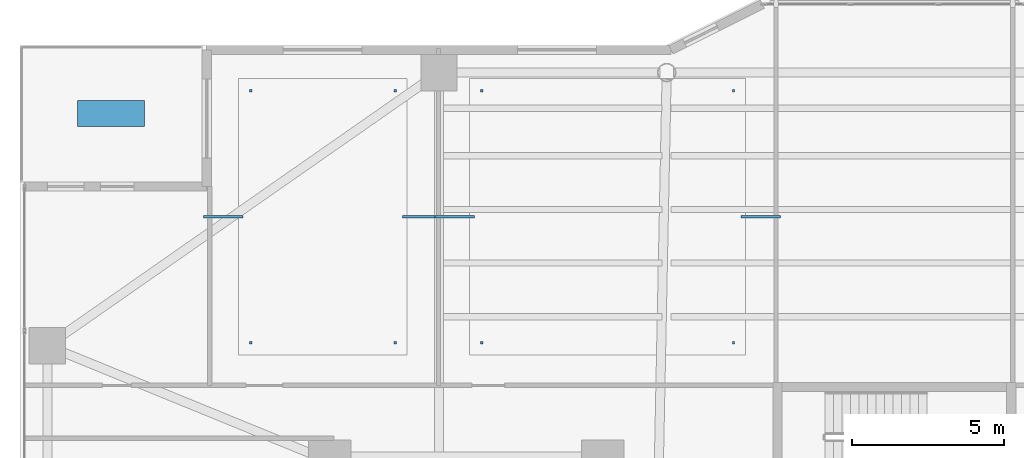
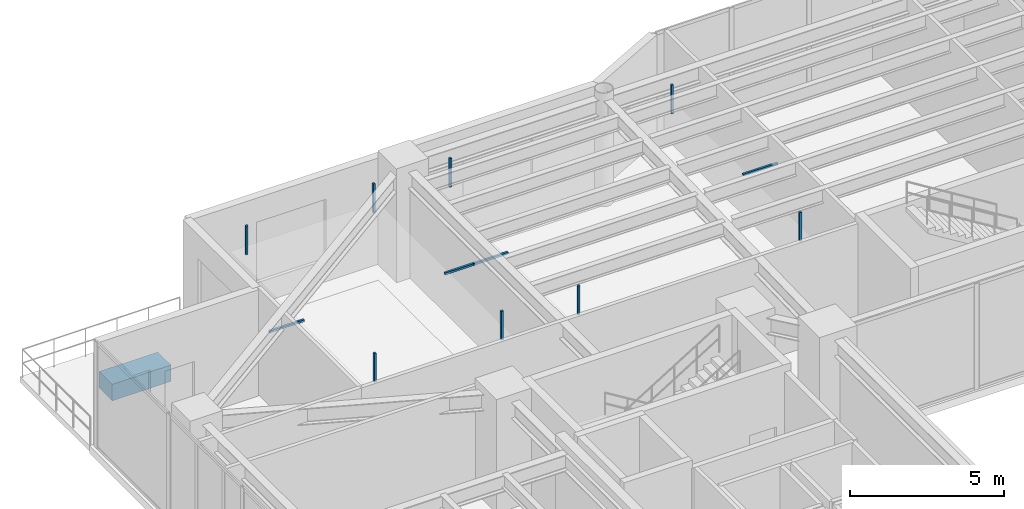
# One storey, part 34 of 39: 13 discrete accessories.
"""IFC4 building model written with IfcOpenShell, lengths in metres."""

import ifcopenshell
import ifcopenshell.guid

model = None  # the IFC model being written
_history = None  # IfcOwnerHistory: only IFC2X3 demands one
_inside = {}  # id of a spatial element -> (the spatial element, [elements in it])
_under = {}  # id of a project, library or spatial element -> (it, [spatial elements below it])
_declared = {}  # id of a project -> (the project, [libraries it declares])
_typed = {}  # id of a type object -> (the type object, [elements of that type])
_made_of = {}  # id of a material, layer set ... -> (it, [elements and type objects made of it])


def new_model(schema):
    """Start an empty IFC model of exactly this schema.

    Asked for "IFC4X3", IfcOpenShell would pick the latest addendum, in which some entities
    have other attributes; the version numbers below select the first issue.
    IFC2X3 requires an IfcOwnerHistory on every rooted entity: one is made here for all.
    """
    global model, _history
    if schema == "IFC4X3":
        model = ifcopenshell.file(schema_version=(4, 3, 0, 0))
    else:
        model = ifcopenshell.file(schema=schema)
    _inside.clear()
    _under.clear()
    _declared.clear()
    _typed.clear()
    _made_of.clear()
    _history = None
    if model.schema == "IFC2X3":
        org = make("IfcOrganization", Name="unknown")
        user = make(
            "IfcPersonAndOrganization",
            ThePerson=make("IfcPerson", FamilyName="unknown"),
            TheOrganization=org,
        )
        app = make(
            "IfcApplication",
            ApplicationDeveloper=org,
            Version="unknown",
            ApplicationFullName="unknown",
            ApplicationIdentifier="unknown",
        )
        _history = make(
            "IfcOwnerHistory",
            OwningUser=user,
            OwningApplication=app,
            ChangeAction="ADDED",
            CreationDate=0,
        )
    return model


def make(cls, **values):
    """One entity of the class cls with the attributes given. An attribute that is None is left unset."""
    return model.create_entity(
        cls, **{name: value for name, value in values.items() if value is not None}
    )


def rooted(cls, **values):
    """An entity with a GlobalId (a new one), such as an element, a storey or a relation."""
    return make(cls, GlobalId=ifcopenshell.guid.new(), OwnerHistory=_history, **values)


def si_unit(unit_type, name, prefix=None):
    """IfcSIUnit, for example si_unit("LENGTHUNIT", "METRE", prefix="MILLI")."""
    return make("IfcSIUnit", UnitType=unit_type, Prefix=prefix, Name=name)


def assignment(units):
    """IfcUnitAssignment: the units of a project."""
    return None if units is None else make("IfcUnitAssignment", Units=units)


def point(xyz):
    """IfcCartesianPoint."""
    return None if xyz is None else make("IfcCartesianPoint", Coordinates=xyz)


def direction(xyz):
    """IfcDirection."""
    return None if xyz is None else make("IfcDirection", DirectionRatios=xyz)


def frame(location, z_axis=None, x_axis=None):
    """IfcAxis2Placement3D, a coordinate frame: its origin and axes. An axis left out is left unset."""
    return make(
        "IfcAxis2Placement3D",
        Location=point(location),
        Axis=direction(z_axis),
        RefDirection=direction(x_axis),
    )


def frame_2d(location, x_axis=None):
    """IfcAxis2Placement2D, a coordinate frame in the plane: its origin and x axis."""
    return make(
        "IfcAxis2Placement2D", Location=point(location), RefDirection=direction(x_axis)
    )


def origin():
    """The frame at (0, 0, 0) with its axes left unset."""
    return frame((0.0, 0.0, 0.0))


def origin_2d():
    """The frame at (0, 0) in the plane with its x axis left unset."""
    return frame_2d((0.0, 0.0))


def place(relative_to, where):
    """IfcLocalPlacement: puts the frame where relative to a parent placement (None: the world)."""
    return make(
        "IfcLocalPlacement", PlacementRelTo=relative_to, RelativePlacement=where
    )


def context(
    kind, dimensions, precision=None, world=None, true_north=None, identifier=None
):
    """IfcGeometricRepresentationContext, for example the 3D "Model" context."""
    return make(
        "IfcGeometricRepresentationContext",
        ContextIdentifier=identifier,
        ContextType=kind,
        CoordinateSpaceDimension=dimensions,
        Precision=precision,
        WorldCoordinateSystem=world,
        TrueNorth=true_north,
    )


def subcontext(parent, identifier, kind, view, scale=None):
    """IfcGeometricRepresentationSubContext, for example "Body" below "Model"."""
    return make(
        "IfcGeometricRepresentationSubContext",
        ContextIdentifier=identifier,
        ContextType=kind,
        ParentContext=parent,
        TargetScale=scale,
        TargetView=view,
    )


def project(units=None, contexts=None):
    """IfcProject with its units and contexts."""
    return rooted(
        "IfcProject",
        Name="project",
        RepresentationContexts=contexts,
        UnitsInContext=assignment(units),
    )


def spatial(cls, under=None, at=None, **own):
    """A site, building, storey or space (cls), placed at a placement, below another one or the project."""
    s = rooted(cls, ObjectPlacement=at, **own)
    if under is not None:
        _under.setdefault(under.id(), (under, []))[1].append(s)
    return s


def profile(cls, at=None, kind="AREA", **sizes):
    """A parametric profile (cls). Its sizes go by their IFC names, for example OverallWidth=200.0."""
    return make(cls, ProfileType=kind, Position=at, **sizes)


def rectangle(**sizes):
    """IfcRectangleProfileDef."""
    return profile("IfcRectangleProfileDef", **sizes)


def extrude(swept, where, along, depth):
    """IfcExtrudedAreaSolid: the profile swept, set in the frame where, extruded along a direction by depth."""
    return make(
        "IfcExtrudedAreaSolid",
        SweptArea=swept,
        Position=where,
        ExtrudedDirection=direction(along),
        Depth=depth,
    )


def shape(context_of_items, identifier, shape_type, items):
    """IfcShapeRepresentation: the items that make up one representation, for example the "Body"."""
    return make(
        "IfcShapeRepresentation",
        ContextOfItems=context_of_items,
        RepresentationIdentifier=identifier,
        RepresentationType=shape_type,
        Items=items,
    )


def material(Name=None, Category=None):
    """IfcMaterial."""
    return make("IfcMaterial", Name=Name, Category=Category)


def made_of(thing, what):
    """Note that an element or type object is made of a material, layer set ...; save() writes the relation."""
    if what is not None:
        _made_of.setdefault(what.id(), (what, []))[1].append(thing)
    return thing


def type_object(cls, material=None, **own):
    """A type object (cls), such as IfcWallType, which elements share."""
    return made_of(rooted(cls, **own), material)


def element(
    cls,
    number,
    at=None,
    inside=None,
    cuts=None,
    type_object=None,
    material=None,
    context=None,
    identifier="Body",
    shape_type=None,
    held_by="IfcProductDefinitionShape",
    body=None,
    shapes=None,
    **own,
):
    """One element of the class cls, such as IfcWall. Its Tag is "e" and its number.

    at: its placement. inside: the storey or other place that contains it. cuts: it is an
    opening in that element (IfcRelVoidsElement). A single representation is given by context,
    identifier, shape_type and body (its items); several are given by shapes. held_by: the class
    of the entity that holds the representations. save() writes the other relations.
    """
    e = rooted(cls, Tag="e%d" % number, ObjectPlacement=at, **own)
    if body is not None:
        shapes = [shape(context, identifier, shape_type, body)]
    if shapes is not None:
        e.Representation = make(held_by, Representations=shapes)
    if inside is not None:
        _inside.setdefault(inside.id(), (inside, []))[1].append(e)
    if cuts is not None:
        rooted(
            "IfcRelVoidsElement", RelatingBuildingElement=cuts, RelatedOpeningElement=e
        )
    if type_object is not None:
        _typed.setdefault(type_object.id(), (type_object, []))[1].append(e)
    return made_of(e, material)


def aggregate(whole, parts):
    """IfcRelAggregates: a whole, such as a stair, and the parts it consists of."""
    return rooted("IfcRelAggregates", RelatingObject=whole, RelatedObjects=parts)


def save(model, path):
    """Write the relations noted so far, then the file.

    IfcRelAggregates (storeys below a building ...), IfcRelContainedInSpatialStructure (elements
    in a storey), IfcRelDefinesByType, IfcRelAssociatesMaterial and IfcRelDeclares: one each for
    every whole, place, type object, material and project.
    """
    for whole, parts in _under.values():
        aggregate(whole, parts)
    for where, things in _inside.values():
        rooted(
            "IfcRelContainedInSpatialStructure",
            RelatedElements=things,
            RelatingStructure=where,
        )
    for kind, things in _typed.values():
        rooted("IfcRelDefinesByType", RelatedObjects=things, RelatingType=kind)
    for what, things in _made_of.values():
        rooted("IfcRelAssociatesMaterial", RelatedObjects=things, RelatingMaterial=what)
    for by, libraries in _declared.values():
        rooted("IfcRelDeclares", RelatingContext=by, RelatedDefinitions=libraries)
    model.write(path)


model = new_model("IFC4")

# Units and contexts
model_context = context("Model", 3, precision=1e-05, world=origin(), true_north=direction((0.0, 1.0)))
body_context = subcontext(model_context, "Body", "Model", "MODEL_VIEW")
ifc_project = project(units=[si_unit("LENGTHUNIT", "METRE"), si_unit("AREAUNIT", "SQUARE_METRE"), si_unit("VOLUMEUNIT", "CUBIC_METRE"), si_unit("PLANEANGLEUNIT", "RADIAN"), si_unit("MASSUNIT", "GRAM", prefix="KILO")], contexts=[model_context])

# Site, building, storey
site_placement = place(None, origin())
site = spatial("IfcSite", under=ifc_project, at=site_placement, CompositionType="ELEMENT")
building_placement = place(site_placement, origin())
building = spatial("IfcBuilding", under=site, at=building_placement, Name="Tarnavaz Court Tower", CompositionType="ELEMENT")
storey_placement = place(building_placement, frame((0.0, 0.0, 68.699951171875)))
storey = spatial("IfcBuildingStorey", under=building, at=storey_placement, Name="L18", CompositionType="ELEMENT", Elevation=68.699951171875)

# Discrete accessories
ifc_material_1 = material(Name="Anodised Aluminium 6063-T6", Category="aluminium")
discrete_accessory_type_1 = type_object("IfcDiscreteAccessoryType", Name="DA-BRKT-ALU", PredefinedType="BRACKET", material=ifc_material_1)
for number, where, z_axis, x_axis, name in (
    (1, (-21.199951171875, 13.89990234375, 3.09033203125), (0.0, 0.0, 1.0), (1.0, 0.0, 0.0), "L18 Ceiling Suspension Hanger Bracket 01-1"),
    (2, (-16.447021484375, 13.89990234375, 3.09033203125), (0.0, 0.0, 1.0), (1.0, 0.0, 0.0), "L18 Ceiling Suspension Hanger Bracket 01-2"),
    (3, (-16.447021484375, 22.199951171875, 3.09033203125), (0.0, 0.0, 1.0), (1.0, 0.0, 0.0), "L18 Ceiling Suspension Hanger Bracket 01-3"),
    (4, (-21.199951171875, 22.199951171875, 3.09033203125), (0.0, 0.0, 1.0), (1.0, 0.0, 0.0), "L18 Ceiling Suspension Hanger Bracket 01-4"),
):
    element("IfcDiscreteAccessory", number, at=place(storey_placement, frame(where, z_axis=z_axis, x_axis=x_axis)), inside=storey, type_object=discrete_accessory_type_1, Name=name, PredefinedType="BRACKET", context=body_context, shape_type="SweptSolid", body=[
        extrude(rectangle(XDim=0.080078125, YDim=0.080078125, at=origin_2d()), origin(), (0.0, 0.0, 1.0), 1.139892578125),
    ])
for number, where, z_axis, x_axis, name in (
    (5, (-22.10009765625, 18.050048828125, 3.052490234375), (0.0, 0.0, 1.0), (1.0, 0.0, 0.0), "L18 Ceiling Perimeter Wall-Tie Bracket 01-1"),
    (6, (-15.547119140625, 18.050048828125, 3.052490234375), (0.0, 0.0, 1.0), (1.0, 0.0, 0.0), "L18 Ceiling Perimeter Wall-Tie Bracket 01-2"),
):
    element("IfcDiscreteAccessory", number, at=place(storey_placement, frame(where, z_axis=z_axis, x_axis=x_axis)), inside=storey, type_object=discrete_accessory_type_1, Name=name, PredefinedType="BRACKET", context=body_context, shape_type="SweptSolid", body=[
        extrude(rectangle(XDim=1.300048828125, YDim=0.080078125, at=origin_2d()), origin(), (0.0, 0.0, 1.0), 0.080078125),
    ])
for number, where, z_axis, x_axis, name in (
    (7, (-13.5869140625, 13.89990234375, 3.09033203125), (0.0, 0.0, 1.0), (1.0, 0.0, 0.0), "L18 Ceiling Suspension Hanger Bracket 02-1"),
    (8, (-5.300048828125, 13.89990234375, 3.09033203125), (0.0, 0.0, 1.0), (1.0, 0.0, 0.0), "L18 Ceiling Suspension Hanger Bracket 02-2"),
    (9, (-5.300048828125, 22.199951171875, 3.09033203125), (0.0, 0.0, 1.0), (1.0, 0.0, 0.0), "L18 Ceiling Suspension Hanger Bracket 02-3"),
    (10, (-13.5869140625, 22.199951171875, 3.09033203125), (0.0, 0.0, 1.0), (1.0, 0.0, 0.0), "L18 Ceiling Suspension Hanger Bracket 02-4"),
):
    element("IfcDiscreteAccessory", number, at=place(storey_placement, frame(where, z_axis=z_axis, x_axis=x_axis)), inside=storey, type_object=discrete_accessory_type_1, Name=name, PredefinedType="BRACKET", context=body_context, shape_type="SweptSolid", body=[
        extrude(rectangle(XDim=0.080078125, YDim=0.080078125, at=origin_2d()), origin(), (0.0, 0.0, 1.0), 1.139892578125),
    ])
for number, where, z_axis, x_axis, name in (
    (11, (-14.487060546875, 18.050048828125, 3.052490234375), (0.0, 0.0, 1.0), (1.0, 0.0, 0.0), "L18 Ceiling Perimeter Wall-Tie Bracket 02-1"),
    (12, (-4.39990234375, 18.050048828125, 3.052490234375), (0.0, 0.0, 1.0), (1.0, 0.0, 0.0), "L18 Ceiling Perimeter Wall-Tie Bracket 02-2"),
):
    element("IfcDiscreteAccessory", number, at=place(storey_placement, frame(where, z_axis=z_axis, x_axis=x_axis)), inside=storey, type_object=discrete_accessory_type_1, Name=name, PredefinedType="BRACKET", context=body_context, shape_type="SweptSolid", body=[
        extrude(rectangle(XDim=1.300048828125, YDim=0.080078125, at=origin_2d()), origin(), (0.0, 0.0, 1.0), 0.080078125),
    ])
ifc_material_2 = material(Name="Terracotta Architectural Planter Trough", Category="masonry")
discrete_accessory_type_2 = type_object("IfcDiscreteAccessoryType", Name="DA-PLANTER-TC", PredefinedType="USERDEFINED", material=ifc_material_2)
discrete_accessory_placement = place(storey_placement, frame((-25.800048828125, 21.449951171875, 0.0), z_axis=(0.0, 0.0, 1.0), x_axis=(1.0, 0.0, 0.0)))
element("IfcDiscreteAccessory", 13, at=discrete_accessory_placement, inside=storey, type_object=discrete_accessory_type_2, Name="L18 Chahar-Bagh Terracotta Landscape Planter 2", ObjectType="PLANTER", PredefinedType="USERDEFINED", context=body_context, shape_type="SweptSolid", body=[
    extrude(rectangle(XDim=2.199951171875, YDim=0.85009765625, at=origin_2d()), origin(), (0.0, 0.0, 1.0), 0.64990234375),
])

save(model, "model.ifc")
